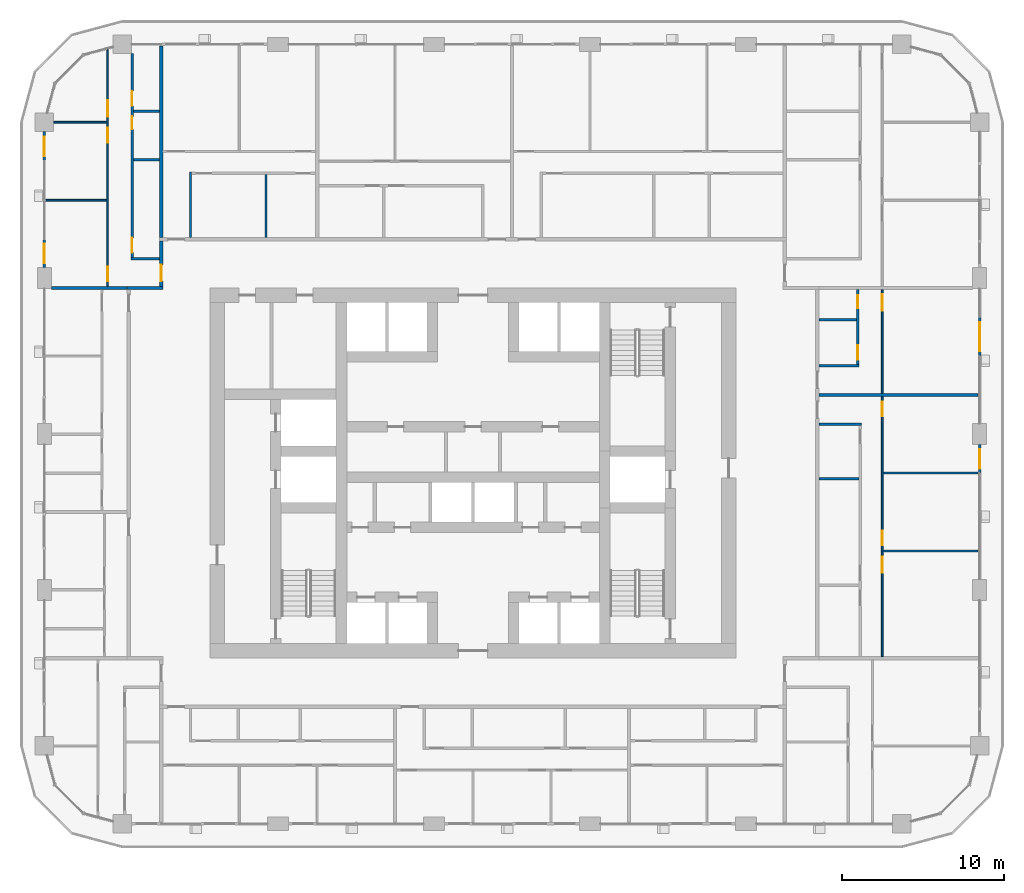
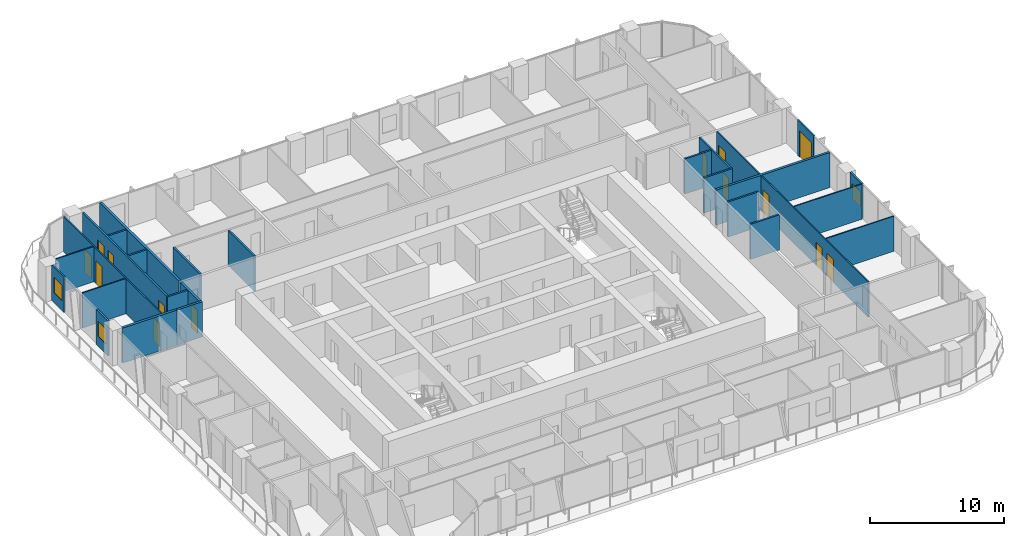
# One storey, part 13 of 22: 27 walls, 14 doors, 3 windows, 17 openings.
"""IFC4 building model written with IfcOpenShell, lengths in metres."""

import ifcopenshell
import ifcopenshell.guid

model = None  # the IFC model being written
_history = None  # IfcOwnerHistory: only IFC2X3 demands one
_inside = {}  # id of a spatial element -> (the spatial element, [elements in it])
_under = {}  # id of a project, library or spatial element -> (it, [spatial elements below it])
_declared = {}  # id of a project -> (the project, [libraries it declares])
_typed = {}  # id of a type object -> (the type object, [elements of that type])
_made_of = {}  # id of a material, layer set ... -> (it, [elements and type objects made of it])


def new_model(schema):
    """Start an empty IFC model of exactly this schema.

    Asked for "IFC4X3", IfcOpenShell would pick the latest addendum, in which some entities
    have other attributes; the version numbers below select the first issue.
    IFC2X3 requires an IfcOwnerHistory on every rooted entity: one is made here for all.
    """
    global model, _history
    if schema == "IFC4X3":
        model = ifcopenshell.file(schema_version=(4, 3, 0, 0))
    else:
        model = ifcopenshell.file(schema=schema)
    _inside.clear()
    _under.clear()
    _declared.clear()
    _typed.clear()
    _made_of.clear()
    _history = None
    if model.schema == "IFC2X3":
        org = make("IfcOrganization", Name="unknown")
        user = make(
            "IfcPersonAndOrganization",
            ThePerson=make("IfcPerson", FamilyName="unknown"),
            TheOrganization=org,
        )
        app = make(
            "IfcApplication",
            ApplicationDeveloper=org,
            Version="unknown",
            ApplicationFullName="unknown",
            ApplicationIdentifier="unknown",
        )
        _history = make(
            "IfcOwnerHistory",
            OwningUser=user,
            OwningApplication=app,
            ChangeAction="ADDED",
            CreationDate=0,
        )
    return model


def make(cls, **values):
    """One entity of the class cls with the attributes given. An attribute that is None is left unset."""
    return model.create_entity(
        cls, **{name: value for name, value in values.items() if value is not None}
    )


def rooted(cls, **values):
    """An entity with a GlobalId (a new one), such as an element, a storey or a relation."""
    return make(cls, GlobalId=ifcopenshell.guid.new(), OwnerHistory=_history, **values)


def si_unit(unit_type, name, prefix=None):
    """IfcSIUnit, for example si_unit("LENGTHUNIT", "METRE", prefix="MILLI")."""
    return make("IfcSIUnit", UnitType=unit_type, Prefix=prefix, Name=name)


def assignment(units):
    """IfcUnitAssignment: the units of a project."""
    return None if units is None else make("IfcUnitAssignment", Units=units)


def point(xyz):
    """IfcCartesianPoint."""
    return None if xyz is None else make("IfcCartesianPoint", Coordinates=xyz)


def direction(xyz):
    """IfcDirection."""
    return None if xyz is None else make("IfcDirection", DirectionRatios=xyz)


def frame(location, z_axis=None, x_axis=None):
    """IfcAxis2Placement3D, a coordinate frame: its origin and axes. An axis left out is left unset."""
    return make(
        "IfcAxis2Placement3D",
        Location=point(location),
        Axis=direction(z_axis),
        RefDirection=direction(x_axis),
    )


def frame_2d(location, x_axis=None):
    """IfcAxis2Placement2D, a coordinate frame in the plane: its origin and x axis."""
    return make(
        "IfcAxis2Placement2D", Location=point(location), RefDirection=direction(x_axis)
    )


def origin():
    """The frame at (0, 0, 0) with its axes left unset."""
    return frame((0.0, 0.0, 0.0))


def place(relative_to, where):
    """IfcLocalPlacement: puts the frame where relative to a parent placement (None: the world)."""
    return make(
        "IfcLocalPlacement", PlacementRelTo=relative_to, RelativePlacement=where
    )


def context(
    kind, dimensions, precision=None, world=None, true_north=None, identifier=None
):
    """IfcGeometricRepresentationContext, for example the 3D "Model" context."""
    return make(
        "IfcGeometricRepresentationContext",
        ContextIdentifier=identifier,
        ContextType=kind,
        CoordinateSpaceDimension=dimensions,
        Precision=precision,
        WorldCoordinateSystem=world,
        TrueNorth=true_north,
    )


def subcontext(parent, identifier, kind, view, scale=None):
    """IfcGeometricRepresentationSubContext, for example "Body" below "Model"."""
    return make(
        "IfcGeometricRepresentationSubContext",
        ContextIdentifier=identifier,
        ContextType=kind,
        ParentContext=parent,
        TargetScale=scale,
        TargetView=view,
    )


def project(units=None, contexts=None):
    """IfcProject with its units and contexts."""
    return rooted(
        "IfcProject",
        Name="project",
        RepresentationContexts=contexts,
        UnitsInContext=assignment(units),
    )


def spatial(cls, under=None, at=None, **own):
    """A site, building, storey or space (cls), placed at a placement, below another one or the project."""
    s = rooted(cls, ObjectPlacement=at, **own)
    if under is not None:
        _under.setdefault(under.id(), (under, []))[1].append(s)
    return s


def profile(cls, at=None, kind="AREA", **sizes):
    """A parametric profile (cls). Its sizes go by their IFC names, for example OverallWidth=200.0."""
    return make(cls, ProfileType=kind, Position=at, **sizes)


def rectangle(**sizes):
    """IfcRectangleProfileDef."""
    return profile("IfcRectangleProfileDef", **sizes)


def extrude(swept, where, along, depth):
    """IfcExtrudedAreaSolid: the profile swept, set in the frame where, extruded along a direction by depth."""
    return make(
        "IfcExtrudedAreaSolid",
        SweptArea=swept,
        Position=where,
        ExtrudedDirection=direction(along),
        Depth=depth,
    )


def shape(context_of_items, identifier, shape_type, items):
    """IfcShapeRepresentation: the items that make up one representation, for example the "Body"."""
    return make(
        "IfcShapeRepresentation",
        ContextOfItems=context_of_items,
        RepresentationIdentifier=identifier,
        RepresentationType=shape_type,
        Items=items,
    )


def material(Name=None, Category=None):
    """IfcMaterial."""
    return make("IfcMaterial", Name=Name, Category=Category)


def layer(
    of_material, thickness, ventilated=None, Name=None, Category=None, Priority=None
):
    """IfcMaterialLayer: one layer of a wall or slab, of a material (None: an air gap)."""
    return make(
        "IfcMaterialLayer",
        Material=of_material,
        LayerThickness=thickness,
        IsVentilated=ventilated,
        Name=Name,
        Category=Category,
        Priority=Priority,
    )


def layer_set(layers, Name=None):
    """IfcMaterialLayerSet."""
    return make("IfcMaterialLayerSet", MaterialLayers=layers, LayerSetName=Name)


def made_of(thing, what):
    """Note that an element or type object is made of a material, layer set ...; save() writes the relation."""
    if what is not None:
        _made_of.setdefault(what.id(), (what, []))[1].append(thing)
    return thing


def type_object(cls, material=None, **own):
    """A type object (cls), such as IfcWallType, which elements share."""
    return made_of(rooted(cls, **own), material)


def element(
    cls,
    number,
    at=None,
    inside=None,
    cuts=None,
    type_object=None,
    material=None,
    context=None,
    identifier="Body",
    shape_type=None,
    held_by="IfcProductDefinitionShape",
    body=None,
    shapes=None,
    **own,
):
    """One element of the class cls, such as IfcWall. Its Tag is "e" and its number.

    at: its placement. inside: the storey or other place that contains it. cuts: it is an
    opening in that element (IfcRelVoidsElement). A single representation is given by context,
    identifier, shape_type and body (its items); several are given by shapes. held_by: the class
    of the entity that holds the representations. save() writes the other relations.
    """
    e = rooted(cls, Tag="e%d" % number, ObjectPlacement=at, **own)
    if body is not None:
        shapes = [shape(context, identifier, shape_type, body)]
    if shapes is not None:
        e.Representation = make(held_by, Representations=shapes)
    if inside is not None:
        _inside.setdefault(inside.id(), (inside, []))[1].append(e)
    if cuts is not None:
        rooted(
            "IfcRelVoidsElement", RelatingBuildingElement=cuts, RelatedOpeningElement=e
        )
    if type_object is not None:
        _typed.setdefault(type_object.id(), (type_object, []))[1].append(e)
    return made_of(e, material)


def fill(opening, filler):
    """IfcRelFillsElement: the door or window that sits in an opening."""
    return rooted(
        "IfcRelFillsElement",
        RelatingOpeningElement=opening,
        RelatedBuildingElement=filler,
    )


def aggregate(whole, parts):
    """IfcRelAggregates: a whole, such as a stair, and the parts it consists of."""
    return rooted("IfcRelAggregates", RelatingObject=whole, RelatedObjects=parts)


def save(model, path):
    """Write the relations noted so far, then the file.

    IfcRelAggregates (storeys below a building ...), IfcRelContainedInSpatialStructure (elements
    in a storey), IfcRelDefinesByType, IfcRelAssociatesMaterial and IfcRelDeclares: one each for
    every whole, place, type object, material and project.
    """
    for whole, parts in _under.values():
        aggregate(whole, parts)
    for where, things in _inside.values():
        rooted(
            "IfcRelContainedInSpatialStructure",
            RelatedElements=things,
            RelatingStructure=where,
        )
    for kind, things in _typed.values():
        rooted("IfcRelDefinesByType", RelatedObjects=things, RelatingType=kind)
    for what, things in _made_of.values():
        rooted("IfcRelAssociatesMaterial", RelatedObjects=things, RelatingMaterial=what)
    for by, libraries in _declared.values():
        rooted("IfcRelDeclares", RelatingContext=by, RelatedDefinitions=libraries)
    model.write(path)


model = new_model("IFC4")

# Units and contexts
model_context = context("Model", 3, precision=1e-05, world=origin(), true_north=direction((0.0, 1.0)))
body_context = subcontext(model_context, "Body", "Model", "MODEL_VIEW")
ifc_project = project(units=[si_unit("LENGTHUNIT", "METRE"), si_unit("AREAUNIT", "SQUARE_METRE"), si_unit("VOLUMEUNIT", "CUBIC_METRE"), si_unit("PLANEANGLEUNIT", "RADIAN"), si_unit("MASSUNIT", "GRAM", prefix="KILO")], contexts=[model_context])

# Site, building, storey
site_placement = place(None, origin())
site = spatial("IfcSite", under=ifc_project, at=site_placement, CompositionType="ELEMENT")
building_placement = place(site_placement, origin())
building = spatial("IfcBuilding", under=site, at=building_placement, Name="Madar Terraces", CompositionType="ELEMENT")
storey_placement = place(building_placement, frame((0.0, 0.0, 99.699951171875)))
storey = spatial("IfcBuildingStorey", under=building, at=storey_placement, Name="L25", CompositionType="ELEMENT", Elevation=99.699951171875)

# Wall, opening, window
ifc_material_1 = material(Name="Aluminium composite panel, black, over insulated backing", Category="aluminium")
ifc_layer_1 = layer(ifc_material_1, 0.14990234375)
ifc_layer_set_1 = layer_set([ifc_layer_1], Name="Facade bay panel 150")
wall_type_1 = type_object("IfcWallType", Name="Facade bay panel 150", PredefinedType="SOLIDWALL", material=ifc_layer_set_1)
wall_1_placement = place(storey_placement, frame((62.39990234375, 26.39990234375, 0.0), z_axis=(0.0, 0.0, 1.0), x_axis=(0.0, 1.0, 0.0)))
wall_1 = element("IfcWall", 1, at=wall_1_placement, inside=storey, type_object=wall_type_1, Name="Facade bay panel", PredefinedType="SOLIDWALL", context=body_context, shape_type="SweptSolid", body=[
    extrude(rectangle(XDim=1.75, YDim=0.14990234375, at=frame_2d((0.875, 0.0))), origin(), (0.0, 0.0, 1.0), 3.199951171875),
])
opening_1_placement = place(wall_1_placement, frame((0.27490234375, 0.0, 0.89990234375)))
opening_1 = element("IfcOpeningElement", 2, at=opening_1_placement, cuts=wall_1, Name="Opening W1", PredefinedType="OPENING", context=body_context, shape_type="SweptSolid", body=[
    extrude(rectangle(XDim=1.199951171875, YDim=1.39990234375, at=frame_2d((0.60009765625, 0.699951171875))), frame((0.0, 0.0849609375, 0.0), z_axis=(0.0, -1.0, 0.0), x_axis=(1.0, 0.0, 0.0)), (0.0, 0.0, 1.0), 0.169921875),
])
ifc_material_2 = material(Name="Glass, clear, with black aluminium frame", Category="aluminium")
window_type = type_object("IfcWindowType", Name="Vent window 1200 x 1400", PartitioningType="SINGLE_PANEL", PredefinedType="WINDOW", material=ifc_material_2)
window_1_placement = place(opening_1_placement, origin())
window_1 = element("IfcWindow", 3, at=window_1_placement, inside=storey, type_object=window_type, Name="Operable vent window", OverallHeight=1.39990234375, OverallWidth=1.199951171875, PartitioningType="SINGLE_PANEL", PredefinedType="WINDOW", context=body_context, shape_type="SweptSolid", body=[
    extrude(rectangle(XDim=1.199951171875, YDim=1.39990234375, at=frame_2d((0.60009765625, 0.699951171875))), frame((0.0, 0.030029296875, 0.0), z_axis=(0.0, -1.0, 0.0), x_axis=(1.0, 0.0, 0.0)), (0.0, 0.0, 1.0), 0.06005859375),
])
fill(opening_1, window_1)

# Wall, opening, door
wall_2_placement = place(storey_placement, frame((62.39990234375, 33.60009765625, 0.0), z_axis=(0.0, 0.0, 1.0), x_axis=(0.0, 1.0, 0.0)))
wall_2 = element("IfcWall", 4, at=wall_2_placement, inside=storey, type_object=wall_type_1, Name="Facade bay panel", PredefinedType="SOLIDWALL", context=body_context, shape_type="SweptSolid", body=[
    extrude(rectangle(XDim=2.39990234375, YDim=0.14990234375, at=frame_2d((1.199951171875, 0.0))), origin(), (0.0, 0.0, 1.0), 3.199951171875),
])
opening_2_placement = place(wall_2_placement, frame((0.300048828125, 0.0, 0.0)))
opening_2 = element("IfcOpeningElement", 5, at=opening_2_placement, cuts=wall_2, Name="Opening ED1", PredefinedType="OPENING", context=body_context, shape_type="SweptSolid", body=[
    extrude(rectangle(XDim=1.800048828125, YDim=2.39990234375, at=frame_2d((0.89990234375, 1.199951171875))), frame((0.0, 0.0849609375, 0.0), z_axis=(0.0, -1.0, 0.0), x_axis=(1.0, 0.0, 0.0)), (0.0, 0.0, 1.0), 0.169921875),
])
ifc_material_3 = material(Name="Glass, clear, with black aluminium frame", Category="aluminium")
door_type_1 = type_object("IfcDoorType", Name="Balcony and terrace sliding door 1800 x 2400", OperationType="SLIDING_TO_LEFT", PredefinedType="DOOR", material=ifc_material_3)
door_1_placement = place(opening_2_placement, origin())
door_1 = element("IfcDoor", 6, at=door_1_placement, inside=storey, type_object=door_type_1, Name="Balcony door", OperationType="SLIDING_TO_RIGHT", OverallHeight=2.39990234375, OverallWidth=1.800048828125, PredefinedType="DOOR", context=body_context, shape_type="SweptSolid", body=[
    extrude(rectangle(XDim=1.800048828125, YDim=2.39990234375, at=frame_2d((0.89990234375, 1.199951171875))), frame((0.0, 0.02490234375, 0.0), z_axis=(0.0, -1.0, 0.0), x_axis=(1.0, 0.0, 0.0)), (0.0, 0.0, 1.0), 0.050048828125),
])
fill(opening_2, door_1)

# Wall, opening, window
wall_3_placement = place(storey_placement, frame((4.800048828125, 47.425048828125, 0.0), z_axis=(0.0, 0.0, 1.0), x_axis=(0.0, -1.0, 0.0)))
wall_3 = element("IfcWall", 7, at=wall_3_placement, inside=storey, type_object=wall_type_1, Name="Facade bay panel", PredefinedType="SOLIDWALL", context=body_context, shape_type="SweptSolid", body=[
    extrude(rectangle(XDim=1.824951171875, YDim=0.14990234375, at=frame_2d((0.91259765625, 0.0))), origin(), (0.0, 0.0, 1.0), 3.199951171875),
])
opening_3_placement = place(wall_3_placement, frame((0.3125, 0.0, 0.89990234375)))
opening_3 = element("IfcOpeningElement", 8, at=opening_3_placement, cuts=wall_3, Name="Opening W1", PredefinedType="OPENING", context=body_context, shape_type="SweptSolid", body=[
    extrude(rectangle(XDim=1.199951171875, YDim=1.39990234375, at=frame_2d((0.60009765625, 0.699951171875))), frame((0.0, 0.0849609375, 0.0), z_axis=(0.0, -1.0, 0.0), x_axis=(1.0, 0.0, 0.0)), (0.0, 0.0, 1.0), 0.169921875),
])
window_2_placement = place(opening_3_placement, origin())
window_2 = element("IfcWindow", 9, at=window_2_placement, inside=storey, type_object=window_type, Name="Operable vent window", OverallHeight=1.39990234375, OverallWidth=1.199951171875, PartitioningType="SINGLE_PANEL", PredefinedType="WINDOW", context=body_context, shape_type="SweptSolid", body=[
    extrude(rectangle(XDim=1.199951171875, YDim=1.39990234375, at=frame_2d((0.60009765625, 0.699951171875))), frame((0.0, 0.030029296875, 0.0), z_axis=(0.0, -1.0, 0.0), x_axis=(1.0, 0.0, 0.0)), (0.0, 0.0, 1.0), 0.06005859375),
])
fill(opening_3, window_2)

wall_4_placement = place(storey_placement, frame((4.800048828125, 40.800048828125, 0.0), z_axis=(0.0, 0.0, 1.0), x_axis=(0.0, -1.0, 0.0)))
wall_4 = element("IfcWall", 10, at=wall_4_placement, inside=storey, type_object=wall_type_1, Name="Facade bay panel", PredefinedType="SOLIDWALL", context=body_context, shape_type="SweptSolid", body=[
    extrude(rectangle(XDim=1.75, YDim=0.14990234375, at=frame_2d((0.875, 0.0))), origin(), (0.0, 0.0, 1.0), 3.199951171875),
])
opening_4_placement = place(wall_4_placement, frame((0.27490234375, 0.0, 0.89990234375)))
opening_4 = element("IfcOpeningElement", 11, at=opening_4_placement, cuts=wall_4, Name="Opening W1", PredefinedType="OPENING", context=body_context, shape_type="SweptSolid", body=[
    extrude(rectangle(XDim=1.199951171875, YDim=1.39990234375, at=frame_2d((0.60009765625, 0.699951171875))), frame((0.0, 0.0849609375, 0.0), z_axis=(0.0, -1.0, 0.0), x_axis=(1.0, 0.0, 0.0)), (0.0, 0.0, 1.0), 0.169921875),
])
window_3_placement = place(opening_4_placement, origin())
window_3 = element("IfcWindow", 12, at=window_3_placement, inside=storey, type_object=window_type, Name="Operable vent window", OverallHeight=1.39990234375, OverallWidth=1.199951171875, PartitioningType="SINGLE_PANEL", PredefinedType="WINDOW", context=body_context, shape_type="SweptSolid", body=[
    extrude(rectangle(XDim=1.199951171875, YDim=1.39990234375, at=frame_2d((0.60009765625, 0.699951171875))), frame((0.0, 0.030029296875, 0.0), z_axis=(0.0, -1.0, 0.0), x_axis=(1.0, 0.0, 0.0)), (0.0, 0.0, 1.0), 0.06005859375),
])
fill(opening_4, window_3)

# Walls
ifc_material_4 = material(Name="Gypsum board on steel studs", Category="steel")
ifc_layer_2 = layer(ifc_material_4, 0.10009765625)
ifc_layer_set_2 = layer_set([ifc_layer_2], Name="Flat partition 100")
wall_type_2 = type_object("IfcWallType", Name="Flat partition 100", PredefinedType="PARTITIONING", material=ifc_layer_set_2)
for number, where, z_axis, x_axis, name in (
    (13, (56.449951171875, 26.39990234375, 0.0), (0.0, 0.0, 1.0), (1.0, 0.0, 0.0), "Flat partition 100"),
    (14, (56.449951171875, 21.60009765625, 0.0), (0.0, 0.0, 1.0), (1.0, 0.0, 0.0), "Flat partition 100"),
):
    element("IfcWall", number, at=place(storey_placement, frame(where, z_axis=z_axis, x_axis=x_axis)), inside=storey, type_object=wall_type_2, Name=name, PredefinedType="PARTITIONING", context=body_context, shape_type="SweptSolid", body=[
        extrude(rectangle(XDim=5.85009765625, YDim=0.10009765625, at=frame_2d((2.925048828125, 0.0))), origin(), (0.0, 0.0, 1.0), 3.199951171875),
    ])

# Wall, openings, doors
wall_5_placement = place(storey_placement, frame((56.39990234375, 31.10009765625, 0.0), z_axis=(0.0, 0.0, 1.0), x_axis=(0.0, -1.0, 0.0)))
wall_5 = element("IfcWall", 15, at=wall_5_placement, inside=storey, type_object=wall_type_2, Name="Flat partition 100", PredefinedType="PARTITIONING", context=body_context, shape_type="SweptSolid", body=[
    extrude(rectangle(XDim=16.0, YDim=0.10009765625, at=frame_2d((8.0, 0.0))), origin(), (0.0, 0.0, 1.0), 3.199951171875),
])
opening_5_placement = place(wall_5_placement, frame((0.300048828125, 0.0, 0.0)))
opening_5 = element("IfcOpeningElement", 16, at=opening_5_placement, cuts=wall_5, Name="Opening D2", PredefinedType="OPENING", context=body_context, shape_type="SweptSolid", body=[
    extrude(rectangle(XDim=0.89990234375, YDim=2.10009765625, at=frame_2d((0.449951171875, 1.050048828125))), frame((0.0, 0.06005859375, 0.0), z_axis=(0.0, -1.0, 0.0), x_axis=(1.0, 0.0, 0.0)), (0.0, 0.0, 1.0), 0.1201171875),
])
opening_6_placement = place(wall_5_placement, frame((8.25, 0.0, 0.0)))
opening_6 = element("IfcOpeningElement", 17, at=opening_6_placement, cuts=wall_5, Name="Opening D2", PredefinedType="OPENING", context=body_context, shape_type="SweptSolid", body=[
    extrude(rectangle(XDim=0.89990234375, YDim=2.10009765625, at=frame_2d((0.449951171875, 1.050048828125))), frame((0.0, 0.06005859375, 0.0), z_axis=(0.0, -1.0, 0.0), x_axis=(1.0, 0.0, 0.0)), (0.0, 0.0, 1.0), 0.1201171875),
])
opening_7_placement = place(wall_5_placement, frame((9.85009765625, 0.0, 0.0)))
opening_7 = element("IfcOpeningElement", 18, at=opening_7_placement, cuts=wall_5, Name="Opening D3", PredefinedType="OPENING", context=body_context, shape_type="SweptSolid", body=[
    extrude(rectangle(XDim=1.0, YDim=2.10009765625, at=frame_2d((0.5, 1.050048828125))), frame((0.0, 0.06005859375, 0.0), z_axis=(0.0, -1.0, 0.0), x_axis=(1.0, 0.0, 0.0)), (0.0, 0.0, 1.0), 0.1201171875),
])
ifc_material_5 = material(Name="Timber door leaf", Category="wood")
door_type_2 = type_object("IfcDoorType", Name="Flat living room door 1000", OperationType="NOTDEFINED", PredefinedType="DOOR", material=ifc_material_5)
door_2_placement = place(opening_7_placement, origin())
door_2 = element("IfcDoor", 19, at=door_2_placement, inside=storey, type_object=door_type_2, Name="Flat living room door 1000", OperationType="SINGLE_SWING_LEFT", OverallHeight=2.10009765625, OverallWidth=1.0, PredefinedType="DOOR", context=body_context, shape_type="SweptSolid", body=[
    extrude(rectangle(XDim=1.0, YDim=2.10009765625, at=frame_2d((0.5, 1.050048828125))), frame((0.0, 0.02490234375, 0.0), z_axis=(0.0, -1.0, 0.0), x_axis=(1.0, 0.0, 0.0)), (0.0, 0.0, 1.0), 0.050048828125),
])
fill(opening_7, door_2)
ifc_material_6 = material(Name="Timber door leaf", Category="wood")
door_type_3 = type_object("IfcDoorType", Name="Flat room door 900", OperationType="NOTDEFINED", PredefinedType="DOOR", material=ifc_material_6)
door_3_placement = place(opening_5_placement, origin())
door_3 = element("IfcDoor", 20, at=door_3_placement, inside=storey, type_object=door_type_3, Name="Flat room door 900", OperationType="SINGLE_SWING_LEFT", OverallHeight=2.10009765625, OverallWidth=0.89990234375, PredefinedType="DOOR", context=body_context, shape_type="SweptSolid", body=[
    extrude(rectangle(XDim=0.89990234375, YDim=2.10009765625, at=frame_2d((0.449951171875, 1.050048828125))), frame((0.0, 0.02490234375, 0.0), z_axis=(0.0, -1.0, 0.0), x_axis=(1.0, 0.0, 0.0)), (0.0, 0.0, 1.0), 0.050048828125),
])
fill(opening_5, door_3)
door_4_placement = place(opening_6_placement, origin())
door_4 = element("IfcDoor", 21, at=door_4_placement, inside=storey, type_object=door_type_3, Name="Flat room door 900", OperationType="SINGLE_SWING_RIGHT", OverallHeight=2.10009765625, OverallWidth=0.89990234375, PredefinedType="DOOR", context=body_context, shape_type="SweptSolid", body=[
    extrude(rectangle(XDim=0.89990234375, YDim=2.10009765625, at=frame_2d((0.449951171875, 1.050048828125))), frame((0.0, 0.02490234375, 0.0), z_axis=(0.0, -1.0, 0.0), x_axis=(1.0, 0.0, 0.0)), (0.0, 0.0, 1.0), 0.050048828125),
])
fill(opening_6, door_4)

# Wall, opening, door
wall_6_placement = place(storey_placement, frame((56.39990234375, 37.699951171875, 0.0), z_axis=(0.0, 0.0, 1.0), x_axis=(0.0, -1.0, 0.0)))
wall_6 = element("IfcWall", 22, at=wall_6_placement, inside=storey, type_object=wall_type_2, Name="Flat partition 100", PredefinedType="PARTITIONING", context=body_context, shape_type="SweptSolid", body=[
    extrude(rectangle(XDim=6.39990234375, YDim=0.10009765625, at=frame_2d((3.199951171875, 0.0))), origin(), (0.0, 0.0, 1.0), 3.199951171875),
])
opening_8_placement = place(wall_6_placement, frame((0.300048828125, 0.0, 0.0)))
opening_8 = element("IfcOpeningElement", 23, at=opening_8_placement, cuts=wall_6, Name="Opening D3", PredefinedType="OPENING", context=body_context, shape_type="SweptSolid", body=[
    extrude(rectangle(XDim=1.0, YDim=2.10009765625, at=frame_2d((0.5, 1.050048828125))), frame((0.0, 0.06005859375, 0.0), z_axis=(0.0, -1.0, 0.0), x_axis=(1.0, 0.0, 0.0)), (0.0, 0.0, 1.0), 0.1201171875),
])
door_5_placement = place(opening_8_placement, origin())
door_5 = element("IfcDoor", 24, at=door_5_placement, inside=storey, type_object=door_type_2, Name="Flat living room door 1000", OperationType="SINGLE_SWING_LEFT", OverallHeight=2.10009765625, OverallWidth=1.0, PredefinedType="DOOR", context=body_context, shape_type="SweptSolid", body=[
    extrude(rectangle(XDim=1.0, YDim=2.10009765625, at=frame_2d((0.5, 1.050048828125))), frame((0.0, 0.02490234375, 0.0), z_axis=(0.0, -1.0, 0.0), x_axis=(1.0, 0.0, 0.0)), (0.0, 0.0, 1.0), 0.050048828125),
])
fill(opening_8, door_5)

# Walls
wall_7_placement = place(storey_placement, frame((8.64990234375, 43.199951171875, 0.0), z_axis=(0.0, 0.0, 1.0), x_axis=(-1.0, 0.0, 0.0)))
element("IfcWall", 25, at=wall_7_placement, inside=storey, type_object=wall_type_2, Name="Flat partition 100", PredefinedType="PARTITIONING", context=body_context, shape_type="SweptSolid", body=[
    extrude(rectangle(XDim=3.75, YDim=0.10009765625, at=frame_2d((1.875, 0.0))), origin(), (0.0, 0.0, 1.0), 3.199951171875),
])
wall_8_placement = place(storey_placement, frame((8.64990234375, 48.0, 0.0), z_axis=(0.0, 0.0, 1.0), x_axis=(-1.0, 0.0, 0.0)))
element("IfcWall", 26, at=wall_8_placement, inside=storey, type_object=wall_type_2, Name="Flat partition 100", PredefinedType="PARTITIONING", context=body_context, shape_type="SweptSolid", body=[
    extrude(rectangle(XDim=3.27490234375, YDim=0.10009765625, at=frame_2d((1.637451171875, 0.0))), origin(), (0.0, 0.0, 1.0), 3.199951171875),
])

# Wall, openings, doors
wall_9_placement = place(storey_placement, frame((8.699951171875, 37.89990234375, 0.0), z_axis=(0.0, 0.0, 1.0), x_axis=(0.0, 1.0, 0.0)))
wall_9 = element("IfcWall", 27, at=wall_9_placement, inside=storey, type_object=wall_type_2, Name="Flat partition 100", PredefinedType="PARTITIONING", context=body_context, shape_type="SweptSolid", body=[
    extrude(rectangle(XDim=14.558837890625, YDim=0.10009765625, at=frame_2d((7.279296875, 0.0))), origin(), (0.0, 0.0, 1.0), 3.199951171875),
])
opening_9_placement = place(wall_9_placement, frame((0.300048828125, 0.0, 0.0)))
opening_9 = element("IfcOpeningElement", 28, at=opening_9_placement, cuts=wall_9, Name="Opening D2", PredefinedType="OPENING", context=body_context, shape_type="SweptSolid", body=[
    extrude(rectangle(XDim=0.89990234375, YDim=2.10009765625, at=frame_2d((0.449951171875, 1.050048828125))), frame((0.0, 0.06005859375, 0.0), z_axis=(0.0, -1.0, 0.0), x_axis=(1.0, 0.0, 0.0)), (0.0, 0.0, 1.0), 0.1201171875),
])
opening_10_placement = place(wall_9_placement, frame((8.85009765625, 0.0, 0.0)))
opening_10 = element("IfcOpeningElement", 29, at=opening_10_placement, cuts=wall_9, Name="Opening D2", PredefinedType="OPENING", context=body_context, shape_type="SweptSolid", body=[
    extrude(rectangle(XDim=0.89990234375, YDim=2.10009765625, at=frame_2d((0.449951171875, 1.050048828125))), frame((0.0, 0.06005859375, 0.0), z_axis=(0.0, -1.0, 0.0), x_axis=(1.0, 0.0, 0.0)), (0.0, 0.0, 1.0), 0.1201171875),
])
opening_11_placement = place(wall_9_placement, frame((10.449951171875, 0.0, 0.0)))
opening_11 = element("IfcOpeningElement", 30, at=opening_11_placement, cuts=wall_9, Name="Opening D3", PredefinedType="OPENING", context=body_context, shape_type="SweptSolid", body=[
    extrude(rectangle(XDim=1.0, YDim=2.10009765625, at=frame_2d((0.5, 1.050048828125))), frame((0.0, 0.06005859375, 0.0), z_axis=(0.0, -1.0, 0.0), x_axis=(1.0, 0.0, 0.0)), (0.0, 0.0, 1.0), 0.1201171875),
])
door_6_placement = place(opening_11_placement, origin())
door_6 = element("IfcDoor", 31, at=door_6_placement, inside=storey, type_object=door_type_2, Name="Flat living room door 1000", OperationType="SINGLE_SWING_LEFT", OverallHeight=2.10009765625, OverallWidth=1.0, PredefinedType="DOOR", context=body_context, shape_type="SweptSolid", body=[
    extrude(rectangle(XDim=1.0, YDim=2.10009765625, at=frame_2d((0.5, 1.050048828125))), frame((0.0, 0.02490234375, 0.0), z_axis=(0.0, -1.0, 0.0), x_axis=(1.0, 0.0, 0.0)), (0.0, 0.0, 1.0), 0.050048828125),
])
fill(opening_11, door_6)
door_7_placement = place(opening_9_placement, origin())
door_7 = element("IfcDoor", 32, at=door_7_placement, inside=storey, type_object=door_type_3, Name="Flat room door 900", OperationType="SINGLE_SWING_LEFT", OverallHeight=2.10009765625, OverallWidth=0.89990234375, PredefinedType="DOOR", context=body_context, shape_type="SweptSolid", body=[
    extrude(rectangle(XDim=0.89990234375, YDim=2.10009765625, at=frame_2d((0.449951171875, 1.050048828125))), frame((0.0, 0.02490234375, 0.0), z_axis=(0.0, -1.0, 0.0), x_axis=(1.0, 0.0, 0.0)), (0.0, 0.0, 1.0), 0.050048828125),
])
fill(opening_9, door_7)
door_8_placement = place(opening_10_placement, origin())
door_8 = element("IfcDoor", 33, at=door_8_placement, inside=storey, type_object=door_type_3, Name="Flat room door 900", OperationType="SINGLE_SWING_RIGHT", OverallHeight=2.10009765625, OverallWidth=0.89990234375, PredefinedType="DOOR", context=body_context, shape_type="SweptSolid", body=[
    extrude(rectangle(XDim=0.89990234375, YDim=2.10009765625, at=frame_2d((0.449951171875, 1.050048828125))), frame((0.0, 0.02490234375, 0.0), z_axis=(0.0, -1.0, 0.0), x_axis=(1.0, 0.0, 0.0)), (0.0, 0.0, 1.0), 0.050048828125),
])
fill(opening_10, door_8)

# Wall, opening, door
ifc_material_7 = material(Name="Lightweight blockwork", Category="masonry")
ifc_layer_3 = layer(ifc_material_7, 0.199951171875)
ifc_layer_set_3 = layer_set([ifc_layer_3], Name="Flat party and entrance wall 200")
wall_type_3 = type_object("IfcWallType", Name="Flat party and entrance wall 200", PredefinedType="PARTITIONING", material=ifc_layer_set_3)
wall_10_placement = place(storey_placement, frame((12.0, 37.89990234375, 0.0), z_axis=(0.0, 0.0, 1.0), x_axis=(0.0, 1.0, 0.0)))
wall_10 = element("IfcWall", 34, at=wall_10_placement, inside=storey, type_object=wall_type_3, Name="Flat party and entrance wall 200", PredefinedType="PARTITIONING", context=body_context, shape_type="SweptSolid", body=[
    extrude(rectangle(XDim=2.800048828125, YDim=0.199951171875, at=frame_2d((1.39990234375, 0.0))), origin(), (0.0, 0.0, 1.0), 3.199951171875),
])
opening_12_placement = place(wall_10_placement, frame((0.324951171875, 0.0, 0.0)))
opening_12 = element("IfcOpeningElement", 35, at=opening_12_placement, cuts=wall_10, Name="Opening D1", PredefinedType="OPENING", context=body_context, shape_type="SweptSolid", body=[
    extrude(rectangle(XDim=1.0, YDim=2.10009765625, at=frame_2d((0.5, 1.050048828125))), frame((0.0, 0.10986328125, 0.0), z_axis=(0.0, -1.0, 0.0), x_axis=(1.0, 0.0, 0.0)), (0.0, 0.0, 1.0), 0.219970703125),
])
ifc_material_8 = material(Name="Timber fire door leaf", Category="wood")
door_type_4 = type_object("IfcDoorType", Name="Flat entrance door 1000 FD30S", OperationType="NOTDEFINED", PredefinedType="DOOR", material=ifc_material_8)
door_9_placement = place(opening_12_placement, origin())
door_9 = element("IfcDoor", 36, at=door_9_placement, inside=storey, type_object=door_type_4, Name="Flat entrance door 1000 FD30S", OperationType="SINGLE_SWING_LEFT", OverallHeight=2.10009765625, OverallWidth=1.0, PredefinedType="DOOR", context=body_context, shape_type="SweptSolid", body=[
    extrude(rectangle(XDim=1.0, YDim=2.10009765625, at=frame_2d((0.5, 1.050048828125))), frame((0.0, 0.02490234375, 0.0), z_axis=(0.0, -1.0, 0.0), x_axis=(1.0, 0.0, 0.0)), (0.0, 0.0, 1.0), 0.050048828125),
])
fill(opening_12, door_9)

# Walls
wall_11_placement = place(storey_placement, frame((12.10009765625, 37.800048828125, 0.0), z_axis=(0.0, 0.0, 1.0), x_axis=(-1.0, 0.0, 0.0)))
element("IfcWall", 37, at=wall_11_placement, inside=storey, type_object=wall_type_3, Name="Flat party and entrance wall 200", PredefinedType="PARTITIONING", context=body_context, shape_type="SweptSolid", body=[
    extrude(rectangle(XDim=2.2001953125, YDim=0.199951171875, at=frame_2d((1.10009765625, 0.0))), origin(), (0.0, 0.0, 1.0), 3.199951171875),
])
wall_12_placement = place(storey_placement, frame((52.5, 31.199951171875, 0.0), z_axis=(0.0, 0.0, 1.0), x_axis=(1.0, 0.0, 0.0)))
element("IfcWall", 38, at=wall_12_placement, inside=storey, type_object=wall_type_3, Name="Flat party and entrance wall 200", PredefinedType="PARTITIONING", context=body_context, shape_type="SweptSolid", body=[
    extrude(rectangle(XDim=9.800048828125, YDim=0.199951171875, at=frame_2d((4.89990234375, 0.0))), origin(), (0.0, 0.0, 1.0), 3.199951171875),
])
wall_13_placement = place(storey_placement, frame((12.0, 52.699951171875, 0.0), z_axis=(0.0, 0.0, 1.0), x_axis=(0.0, -1.0, 0.0)))
element("IfcWall", 39, at=wall_13_placement, inside=storey, type_object=wall_type_3, Name="Flat party and entrance wall 200", PredefinedType="PARTITIONING", context=body_context, shape_type="SweptSolid", body=[
    extrude(rectangle(XDim=11.800048828125, YDim=0.199951171875, at=frame_2d((5.89990234375, 0.0))), origin(), (0.0, 0.0, 1.0), 3.199951171875),
])
wall_14_placement = place(storey_placement, frame((5.22509765625, 37.800048828125, 0.0), z_axis=(0.0, 0.0, 1.0), x_axis=(1.0, 0.0, 0.0)))
element("IfcWall", 40, at=wall_14_placement, inside=storey, type_object=wall_type_3, Name="Flat party and entrance wall 200", PredefinedType="PARTITIONING", context=body_context, shape_type="SweptSolid", body=[
    extrude(rectangle(XDim=4.6748046875, YDim=0.199951171875, at=frame_2d((2.33740234375, 0.0))), origin(), (0.0, 0.0, 1.0), 3.199951171875),
])
ifc_material_9 = material(Name="Lightweight blockwork", Category="masonry")
ifc_layer_4 = layer(ifc_material_9, 0.14990234375)
ifc_layer_set_4 = layer_set([ifc_layer_4], Name="Flat wet-room partition 150")
wall_type_4 = type_object("IfcWallType", Name="Flat wet-room partition 150", PredefinedType="PARTITIONING", material=ifc_layer_set_4)
wall_15_placement = place(storey_placement, frame((52.5, 26.042236328125, 0.0), z_axis=(0.0, 0.0, 1.0), x_axis=(1.0, 0.0, 0.0)))
element("IfcWall", 41, at=wall_15_placement, inside=storey, type_object=wall_type_4, Name="Flat wet-room partition 150", PredefinedType="PARTITIONING", context=body_context, shape_type="SweptSolid", body=[
    extrude(rectangle(XDim=2.47509765625, YDim=0.14990234375, at=frame_2d((1.237548828125, 0.0))), origin(), (0.0, 0.0, 1.0), 3.199951171875),
])
wall_16_placement = place(storey_placement, frame((52.5, 29.39990234375, 0.0), z_axis=(0.0, 0.0, 1.0), x_axis=(1.0, 0.0, 0.0)))
element("IfcWall", 42, at=wall_16_placement, inside=storey, type_object=wall_type_4, Name="Flat wet-room partition 150", PredefinedType="PARTITIONING", context=body_context, shape_type="SweptSolid", body=[
    extrude(rectangle(XDim=2.625, YDim=0.14990234375, at=frame_2d((1.3125, 0.0))), origin(), (0.0, 0.0, 1.0), 3.199951171875),
])
wall_17_placement = place(storey_placement, frame((52.5, 35.85009765625, 0.0), z_axis=(0.0, 0.0, 1.0), x_axis=(1.0, 0.0, 0.0)))
element("IfcWall", 43, at=wall_17_placement, inside=storey, type_object=wall_type_4, Name="Flat wet-room partition 150", PredefinedType="PARTITIONING", context=body_context, shape_type="SweptSolid", body=[
    extrude(rectangle(XDim=2.324951171875, YDim=0.14990234375, at=frame_2d((1.16259765625, 0.0))), origin(), (0.0, 0.0, 1.0), 3.199951171875),
])
wall_18_placement = place(storey_placement, frame((52.5, 33.0, 0.0), z_axis=(0.0, 0.0, 1.0), x_axis=(1.0, 0.0, 0.0)))
element("IfcWall", 44, at=wall_18_placement, inside=storey, type_object=wall_type_4, Name="Flat wet-room partition 150", PredefinedType="PARTITIONING", context=body_context, shape_type="SweptSolid", body=[
    extrude(rectangle(XDim=2.47509765625, YDim=0.14990234375, at=frame_2d((1.237548828125, 0.0))), origin(), (0.0, 0.0, 1.0), 3.199951171875),
])

# Wall, openings, doors
wall_19_placement = place(storey_placement, frame((54.89990234375, 33.074951171875, 0.0), z_axis=(0.0, 0.0, 1.0), x_axis=(0.0, 1.0, 0.0)))
wall_19 = element("IfcWall", 45, at=wall_19_placement, inside=storey, type_object=wall_type_4, Name="Flat wet-room partition 150", PredefinedType="PARTITIONING", context=body_context, shape_type="SweptSolid", body=[
    extrude(rectangle(XDim=4.625, YDim=0.14990234375, at=frame_2d((2.3125, 0.0))), origin(), (0.0, 0.0, 1.0), 3.199951171875),
])
opening_13_placement = place(wall_19_placement, frame((0.300048828125, 0.0, 0.0)))
opening_13 = element("IfcOpeningElement", 46, at=opening_13_placement, cuts=wall_19, Name="Opening D2", PredefinedType="OPENING", context=body_context, shape_type="SweptSolid", body=[
    extrude(rectangle(XDim=0.89990234375, YDim=2.10009765625, at=frame_2d((0.449951171875, 1.050048828125))), frame((0.0, 0.0849609375, 0.0), z_axis=(0.0, -1.0, 0.0), x_axis=(1.0, 0.0, 0.0)), (0.0, 0.0, 1.0), 0.169921875),
])
opening_14_placement = place(wall_19_placement, frame((3.47509765625, 0.0, 0.0)))
opening_14 = element("IfcOpeningElement", 47, at=opening_14_placement, cuts=wall_19, Name="Opening D4", PredefinedType="OPENING", context=body_context, shape_type="SweptSolid", body=[
    extrude(rectangle(XDim=0.800048828125, YDim=2.10009765625, at=frame_2d((0.39990234375, 1.050048828125))), frame((0.0, 0.0849609375, 0.0), z_axis=(0.0, -1.0, 0.0), x_axis=(1.0, 0.0, 0.0)), (0.0, 0.0, 1.0), 0.169921875),
])
ifc_material_10 = material(Name="Timber door leaf", Category="wood")
door_type_5 = type_object("IfcDoorType", Name="Flat bathroom door 800", OperationType="NOTDEFINED", PredefinedType="DOOR", material=ifc_material_10)
door_10_placement = place(opening_14_placement, origin())
door_10 = element("IfcDoor", 48, at=door_10_placement, inside=storey, type_object=door_type_5, Name="Flat bathroom door 800", OperationType="SINGLE_SWING_RIGHT", OverallHeight=2.10009765625, OverallWidth=0.800048828125, PredefinedType="DOOR", context=body_context, shape_type="SweptSolid", body=[
    extrude(rectangle(XDim=0.800048828125, YDim=2.10009765625, at=frame_2d((0.39990234375, 1.050048828125))), frame((0.0, 0.02490234375, 0.0), z_axis=(0.0, -1.0, 0.0), x_axis=(1.0, 0.0, 0.0)), (0.0, 0.0, 1.0), 0.050048828125),
])
fill(opening_14, door_10)
door_11_placement = place(opening_13_placement, origin())
door_11 = element("IfcDoor", 49, at=door_11_placement, inside=storey, type_object=door_type_3, Name="Flat room door 900", OperationType="SINGLE_SWING_LEFT", OverallHeight=2.10009765625, OverallWidth=0.89990234375, PredefinedType="DOOR", context=body_context, shape_type="SweptSolid", body=[
    extrude(rectangle(XDim=0.89990234375, YDim=2.10009765625, at=frame_2d((0.449951171875, 1.050048828125))), frame((0.0, 0.02490234375, 0.0), z_axis=(0.0, -1.0, 0.0), x_axis=(1.0, 0.0, 0.0)), (0.0, 0.0, 1.0), 0.050048828125),
])
fill(opening_13, door_11)

# Walls
wall_20_placement = place(storey_placement, frame((18.449951171875, 40.89990234375, 0.0), z_axis=(0.0, 0.0, 1.0), x_axis=(0.0, 1.0, 0.0)))
element("IfcWall", 50, at=wall_20_placement, inside=storey, type_object=wall_type_4, Name="Flat wet-room partition 150", PredefinedType="PARTITIONING", context=body_context, shape_type="SweptSolid", body=[
    extrude(rectangle(XDim=3.875, YDim=0.14990234375, at=frame_2d((1.9375, 0.0))), origin(), (0.0, 0.0, 1.0), 3.199951171875),
])
wall_21_placement = place(storey_placement, frame((13.800048828125, 40.89990234375, 0.0), z_axis=(0.0, 0.0, 1.0), x_axis=(0.0, 1.0, 0.0)))
element("IfcWall", 51, at=wall_21_placement, inside=storey, type_object=wall_type_4, Name="Flat wet-room partition 150", PredefinedType="PARTITIONING", context=body_context, shape_type="SweptSolid", body=[
    extrude(rectangle(XDim=4.025146484375, YDim=0.14990234375, at=frame_2d((2.0126953125, 0.0))), origin(), (0.0, 0.0, 1.0), 3.199951171875),
])
for number, where, z_axis, x_axis, name in (
    (52, (11.89990234375, 45.6865234375, 0.0), (0.0, 0.0, 1.0), (-1.0, 0.0, 0.0), "Flat wet-room partition 150"),
    (53, (11.89990234375, 48.6923828125, 0.0), (0.0, 0.0, 1.0), (-1.0, 0.0, 0.0), "Flat wet-room partition 150"),
):
    element("IfcWall", number, at=place(storey_placement, frame(where, z_axis=z_axis, x_axis=x_axis)), inside=storey, type_object=wall_type_4, Name=name, PredefinedType="PARTITIONING", context=body_context, shape_type="SweptSolid", body=[
        extrude(rectangle(XDim=1.625, YDim=0.14990234375, at=frame_2d((0.8125, 0.0))), origin(), (0.0, 0.0, 1.0), 3.199951171875),
    ])
wall_22_placement = place(storey_placement, frame((11.89990234375, 39.60009765625, 0.0), z_axis=(0.0, 0.0, 1.0), x_axis=(-1.0, 0.0, 0.0)))
element("IfcWall", 54, at=wall_22_placement, inside=storey, type_object=wall_type_4, Name="Flat wet-room partition 150", PredefinedType="PARTITIONING", context=body_context, shape_type="SweptSolid", body=[
    extrude(rectangle(XDim=1.77490234375, YDim=0.14990234375, at=frame_2d((0.887451171875, 0.0))), origin(), (0.0, 0.0, 1.0), 3.199951171875),
])

# Wall, openings, doors
wall_23_placement = place(storey_placement, frame((10.199951171875, 52.22509765625, 0.0), z_axis=(0.0, 0.0, 1.0), x_axis=(0.0, -1.0, 0.0)))
wall_23 = element("IfcWall", 55, at=wall_23_placement, inside=storey, type_object=wall_type_4, Name="Flat wet-room partition 150", PredefinedType="PARTITIONING", context=body_context, shape_type="SweptSolid", body=[
    extrude(rectangle(XDim=12.550048828125, YDim=0.14990234375, at=frame_2d((6.27490234375, 0.0))), origin(), (0.0, 0.0, 1.0), 3.199951171875),
])
opening_15_placement = place(wall_23_placement, frame((11.35009765625, 0.0, 0.0)))
opening_15 = element("IfcOpeningElement", 56, at=opening_15_placement, cuts=wall_23, Name="Opening D2", PredefinedType="OPENING", context=body_context, shape_type="SweptSolid", body=[
    extrude(rectangle(XDim=0.89990234375, YDim=2.10009765625, at=frame_2d((0.449951171875, 1.050048828125))), frame((0.0, 0.0849609375, 0.0), z_axis=(0.0, -1.0, 0.0), x_axis=(1.0, 0.0, 0.0)), (0.0, 0.0, 1.0), 0.169921875),
])
opening_16_placement = place(wall_23_placement, frame((3.857666015625, 0.0, 0.0)))
opening_16 = element("IfcOpeningElement", 57, at=opening_16_placement, cuts=wall_23, Name="Opening D4", PredefinedType="OPENING", context=body_context, shape_type="SweptSolid", body=[
    extrude(rectangle(XDim=0.800048828125, YDim=2.10009765625, at=frame_2d((0.39990234375, 1.050048828125))), frame((0.0, 0.0849609375, 0.0), z_axis=(0.0, -1.0, 0.0), x_axis=(1.0, 0.0, 0.0)), (0.0, 0.0, 1.0), 0.169921875),
])
opening_17_placement = place(wall_23_placement, frame((2.3076171875, 0.0, 0.0)))
opening_17 = element("IfcOpeningElement", 58, at=opening_17_placement, cuts=wall_23, Name="Opening D5", PredefinedType="OPENING", context=body_context, shape_type="SweptSolid", body=[
    extrude(rectangle(XDim=0.89990234375, YDim=2.10009765625, at=frame_2d((0.449951171875, 1.050048828125))), frame((0.0, 0.0849609375, 0.0), z_axis=(0.0, -1.0, 0.0), x_axis=(1.0, 0.0, 0.0)), (0.0, 0.0, 1.0), 0.169921875),
])
ifc_material_11 = material(Name="Timber door leaf", Category="wood")
door_type_6 = type_object("IfcDoorType", Name="Flat accessible bathroom door 900", OperationType="NOTDEFINED", PredefinedType="DOOR", material=ifc_material_11)
door_12_placement = place(opening_17_placement, origin())
door_12 = element("IfcDoor", 59, at=door_12_placement, inside=storey, type_object=door_type_6, Name="Flat accessible bathroom door 900", OperationType="SINGLE_SWING_RIGHT", OverallHeight=2.10009765625, OverallWidth=0.89990234375, PredefinedType="DOOR", context=body_context, shape_type="SweptSolid", body=[
    extrude(rectangle(XDim=0.89990234375, YDim=2.10009765625, at=frame_2d((0.449951171875, 1.050048828125))), frame((0.0, 0.02490234375, 0.0), z_axis=(0.0, -1.0, 0.0), x_axis=(1.0, 0.0, 0.0)), (0.0, 0.0, 1.0), 0.050048828125),
])
fill(opening_17, door_12)
door_13_placement = place(opening_16_placement, origin())
door_13 = element("IfcDoor", 60, at=door_13_placement, inside=storey, type_object=door_type_5, Name="Flat bathroom door 800", OperationType="SINGLE_SWING_LEFT", OverallHeight=2.10009765625, OverallWidth=0.800048828125, PredefinedType="DOOR", context=body_context, shape_type="SweptSolid", body=[
    extrude(rectangle(XDim=0.800048828125, YDim=2.10009765625, at=frame_2d((0.39990234375, 1.050048828125))), frame((0.0, 0.02490234375, 0.0), z_axis=(0.0, -1.0, 0.0), x_axis=(1.0, 0.0, 0.0)), (0.0, 0.0, 1.0), 0.050048828125),
])
fill(opening_16, door_13)
door_14_placement = place(opening_15_placement, origin())
door_14 = element("IfcDoor", 61, at=door_14_placement, inside=storey, type_object=door_type_3, Name="Flat room door 900", OperationType="SINGLE_SWING_RIGHT", OverallHeight=2.10009765625, OverallWidth=0.89990234375, PredefinedType="DOOR", context=body_context, shape_type="SweptSolid", body=[
    extrude(rectangle(XDim=0.89990234375, YDim=2.10009765625, at=frame_2d((0.449951171875, 1.050048828125))), frame((0.0, 0.02490234375, 0.0), z_axis=(0.0, -1.0, 0.0), x_axis=(1.0, 0.0, 0.0)), (0.0, 0.0, 1.0), 0.050048828125),
])
fill(opening_15, door_14)

save(model, "model.ifc")
